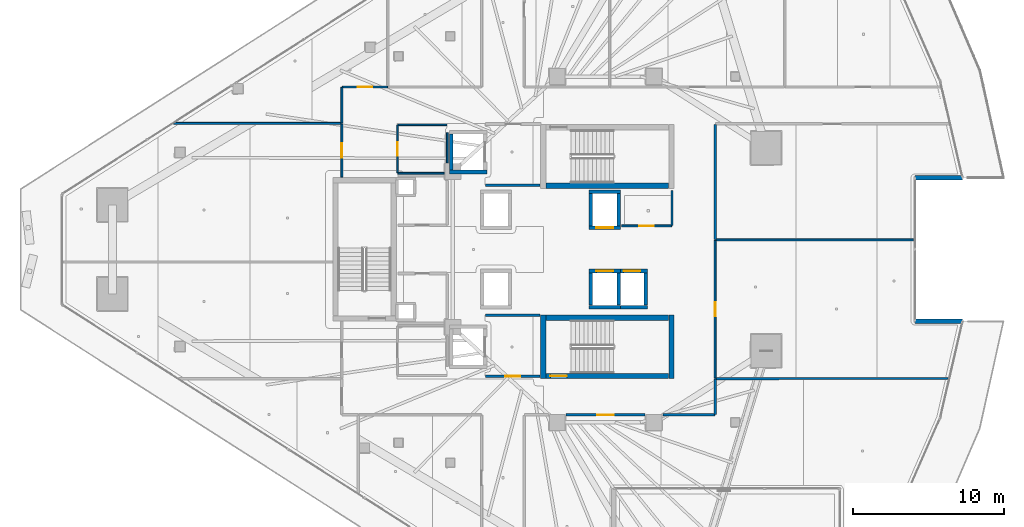
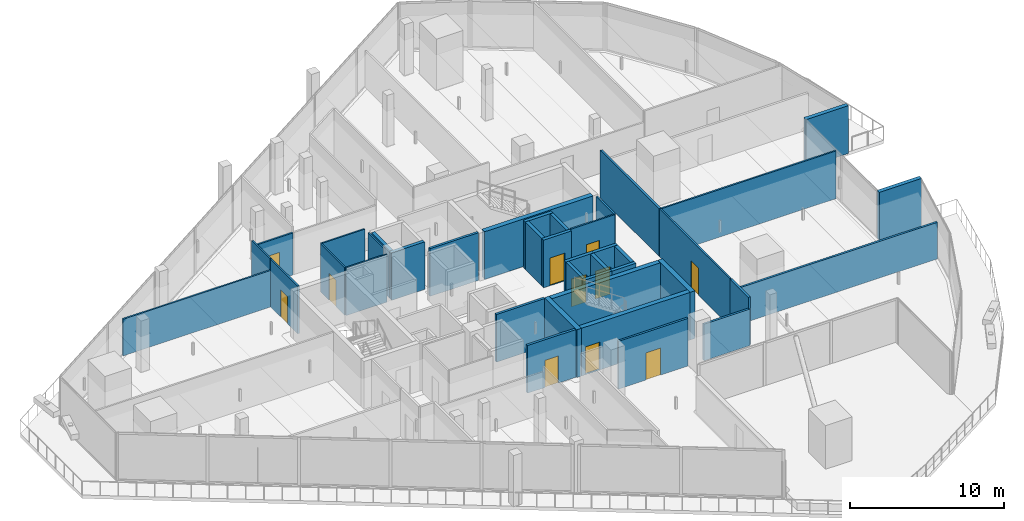
# One storey, part 27 of 38: 40 walls, 11 doors, 11 openings.
"""IFC4 building model written with IfcOpenShell, lengths in metres."""

from ifc_helpers import new_model, si_unit, direction, frame, frame_2d, origin, place, context, subcontext, project, spatial, rectangle, extrude, material, layer, layer_set, type_object, element, fill, save


model = new_model("IFC4")

# Units and contexts
model_context = context("Model", 3, precision=1e-05, world=origin(), true_north=direction((0.0, 1.0)))
body_context = subcontext(model_context, "Body", "Model", "MODEL_VIEW")
ifc_project = project(units=[si_unit("LENGTHUNIT", "METRE"), si_unit("AREAUNIT", "SQUARE_METRE"), si_unit("VOLUMEUNIT", "CUBIC_METRE"), si_unit("PLANEANGLEUNIT", "RADIAN"), si_unit("MASSUNIT", "GRAM", prefix="KILO")], contexts=[model_context])

# Site, building, storey
site_placement = place(None, origin())
site = spatial("IfcSite", under=ifc_project, at=site_placement, CompositionType="ELEMENT")
building_placement = place(site_placement, origin())
building = spatial("IfcBuilding", under=site, at=building_placement, Name="Qorvath Tower", CompositionType="ELEMENT")
storey_placement = place(building_placement, frame((0.0, 0.0, 158.39990234375)))
storey = spatial("IfcBuildingStorey", under=building, at=storey_placement, Name="L36", CompositionType="ELEMENT", Elevation=158.39990234375)

# Wall
ifc_material_1 = material(Name="Gypsum shaftliner on steel studs", Category="steel")
ifc_layer_1 = layer(ifc_material_1, 0.179931640625)
ifc_layer_set_1 = layer_set([ifc_layer_1], Name="FW-LOBBY")
wall_type_1 = type_object("IfcWallType", Name="FW-LOBBY", PredefinedType="PARTITIONING", material=ifc_layer_set_1)
wall_1_placement = place(storey_placement, frame((-28.35498046875, 4.25, 0.0), z_axis=(0.0, 0.0, 1.0), x_axis=(1.0, 0.0, 0.0)))
element("IfcWall", 1, at=wall_1_placement, inside=storey, type_object=wall_type_1, Name="Interior Partition IW-T1-L36-001", PredefinedType="PARTITIONING", context=body_context, shape_type="SweptSolid", body=[
    extrude(rectangle(XDim=3.6220703125, YDim=0.179931640625, at=frame_2d((1.81103515625, 0.0))), origin(), (0.0, 0.0, 1.0), 3.780029296875),
])

# Wall, opening, door
wall_2_placement = place(storey_placement, frame((-28.35498046875, -8.39990234375, 0.0), z_axis=(0.0, 0.0, 1.0), x_axis=(1.0, 0.0, 0.0)))
wall_2 = element("IfcWall", 2, at=wall_2_placement, inside=storey, type_object=wall_type_1, Name="Interior Partition IW-T1-L36-003", PredefinedType="PARTITIONING", context=body_context, shape_type="SweptSolid", body=[
    extrude(rectangle(XDim=3.6220703125, YDim=0.179931640625, at=frame_2d((1.81103515625, 0.0))), origin(), (0.0, 0.0, 1.0), 3.780029296875),
])
opening_1_placement = place(wall_2_placement, frame((1.31103515625, 0.0, 0.0)))
opening_1 = element("IfcOpeningElement", 3, at=opening_1_placement, cuts=wall_2, Name="Opening D-T1-L36-18", PredefinedType="OPENING", context=body_context, shape_type="SweptSolid", body=[
    extrude(rectangle(XDim=1.0, YDim=2.14990234375, at=frame_2d((0.5, 1.074951171875))), frame((0.0, 0.10009765625, 0.0), z_axis=(0.0, -1.0, 0.0), x_axis=(1.0, 0.0, 0.0)), (0.0, 0.0, 1.0), 0.199951171875),
])
ifc_material_2 = material(Name="Painted galvanised hollow metal", Category="steel")
door_type_1 = type_object("IfcDoorType", Name="FD-60", OperationType="NOTDEFINED", PredefinedType="DOOR", material=ifc_material_2)
door_1_placement = place(opening_1_placement, origin())
door_1 = element("IfcDoor", 4, at=door_1_placement, inside=storey, type_object=door_type_1, Name="Lobby Fire Service Elevator South Door D-T1-L36-18", OperationType="SINGLE_SWING_LEFT", OverallHeight=2.14990234375, OverallWidth=1.0, PredefinedType="DOOR", context=body_context, shape_type="SweptSolid", body=[
    extrude(rectangle(XDim=1.0, YDim=2.14990234375, at=frame_2d((0.5, 1.074951171875))), frame((0.0, 0.02490234375, 0.0), z_axis=(0.0, -1.0, 0.0), x_axis=(1.0, 0.0, 0.0)), (0.0, 0.0, 1.0), 0.050048828125),
])
fill(opening_1, door_1)

# Walls
wall_3_placement = place(storey_placement, frame((-24.73291015625, -4.35009765625, 0.0), z_axis=(0.0, 0.0, 1.0), x_axis=(-1.0, 0.0, 0.0)))
element("IfcWall", 5, at=wall_3_placement, inside=storey, type_object=wall_type_1, Name="Interior Partition IW-T1-L36-004", PredefinedType="PARTITIONING", context=body_context, shape_type="SweptSolid", body=[
    extrude(rectangle(XDim=3.6220703125, YDim=0.179931640625, at=frame_2d((1.81103515625, 0.0))), origin(), (0.0, 0.0, 1.0), 3.780029296875),
])
ifc_material_3 = material(Name="Double acoustic gypsum board on steel studs", Category="steel")
ifc_layer_2 = layer(ifc_material_3, 0.159912109375)
ifc_layer_set_2 = layer_set([ifc_layer_2], Name="IW-ACOUSTIC-160")
wall_type_2 = type_object("IfcWallType", Name="IW-ACOUSTIC-160", PredefinedType="PARTITIONING", material=ifc_layer_set_2)
wall_4_placement = place(storey_placement, frame((2.287109375, -8.544677734375, 0.0), z_axis=(0.0, 0.0, 1.0), x_axis=(-0.999999939213, -0.000348675014, 0.0)))
element("IfcWall", 6, at=wall_4_placement, inside=storey, type_object=wall_type_2, Name="Interior Partition IW-T1-L36-042", PredefinedType="PARTITIONING", context=body_context, shape_type="SweptSolid", body=[
    extrude(rectangle(XDim=15.404296875, YDim=0.159912109375, at=frame_2d((7.7021484375, 0.0))), origin(), (0.0, 0.0, 1.0), 2.89501953125),
])
wall_5_placement = place(storey_placement, frame((-13.14208984375, -10.93310546875, 0.0), z_axis=(0.0, 0.0, 1.0), x_axis=(0.0, 1.0, 0.0)))
element("IfcWall", 7, at=wall_5_placement, inside=storey, type_object=wall_type_2, Name="Interior Partition IW-T1-L36-043", PredefinedType="PARTITIONING", context=body_context, shape_type="SweptSolid", body=[
    extrude(rectangle(XDim=2.358154296875, YDim=0.159912109375, at=frame_2d((1.17919921875, 0.0))), origin(), (0.0, 0.0, 1.0), 3.780029296875),
])
wall_6_placement = place(storey_placement, frame((-13.1669921875, -10.9580078125, 0.0), z_axis=(0.0, 0.0, 1.0), x_axis=(-1.0, 0.0, 0.0)))
element("IfcWall", 8, at=wall_6_placement, inside=storey, type_object=wall_type_2, Name="Interior Partition IW-T1-L36-044", PredefinedType="PARTITIONING", context=body_context, shape_type="SweptSolid", body=[
    extrude(rectangle(XDim=3.443115234375, YDim=0.159912109375, at=frame_2d((1.7216796875, 0.0))), origin(), (0.0, 0.0, 1.0), 2.89501953125),
])

# Wall, opening, door
wall_7_placement = place(storey_placement, frame((-17.7900390625, -10.9580078125, 0.0), z_axis=(0.0, 0.0, 1.0), x_axis=(-1.0, 0.0, 0.0)))
wall_7 = element("IfcWall", 9, at=wall_7_placement, inside=storey, type_object=wall_type_2, Name="Interior Partition IW-T1-L36-045", PredefinedType="PARTITIONING", context=body_context, shape_type="SweptSolid", body=[
    extrude(rectangle(XDim=5.219970703125, YDim=0.159912109375, at=frame_2d((2.60986328125, 0.0))), origin(), (0.0, 0.0, 1.0), 3.780029296875),
])
opening_2_placement = place(wall_7_placement, frame((2.06005859375, 0.0, 0.0)))
opening_2 = element("IfcOpeningElement", 10, at=opening_2_placement, cuts=wall_7, Name="Opening D-T1-L36-12", PredefinedType="OPENING", context=body_context, shape_type="SweptSolid", body=[
    extrude(rectangle(XDim=1.10009765625, YDim=2.14990234375, at=frame_2d((0.550048828125, 1.074951171875))), frame((0.0, 0.08984375, 0.0), z_axis=(0.0, -1.0, 0.0), x_axis=(1.0, 0.0, 0.0)), (0.0, 0.0, 1.0), 0.179931640625),
])
ifc_material_4 = material(Name="Anodised aluminium acoustic framed glass", Category="aluminium")
door_type_2 = type_object("IfcDoorType", Name="D-03", OperationType="NOTDEFINED", PredefinedType="DOOR", material=ifc_material_4)
door_2_placement = place(opening_2_placement, origin())
door_2 = element("IfcDoor", 11, at=door_2_placement, inside=storey, type_object=door_type_2, Name="L36-07 Team Project Office Door D-T1-L36-12", OperationType="SINGLE_SWING_LEFT", OverallHeight=2.14990234375, OverallWidth=1.10009765625, PredefinedType="DOOR", context=body_context, shape_type="SweptSolid", body=[
    extrude(rectangle(XDim=1.10009765625, YDim=2.14990234375, at=frame_2d((0.550048828125, 1.074951171875))), frame((0.0, 0.02490234375, 0.0), z_axis=(0.0, -1.0, 0.0), x_axis=(1.0, 0.0, 0.0)), (0.0, 0.0, 1.0), 0.050048828125),
])
fill(opening_2, door_2)

# Wall
wall_8_placement = place(storey_placement, frame((-13.14208984375, 8.287109375, 0.0), z_axis=(0.0, 0.0, 1.0), x_axis=(0.0, -1.0, 0.0)))
element("IfcWall", 12, at=wall_8_placement, inside=storey, type_object=wall_type_2, Name="Interior Partition IW-T1-L36-051", PredefinedType="PARTITIONING", context=body_context, shape_type="SweptSolid", body=[
    extrude(rectangle(XDim=7.625, YDim=0.159912109375, at=frame_2d((3.8125, 0.0))), origin(), (0.0, 0.0, 1.0), 3.780029296875),
])

# Wall, opening, door
ifc_material_5 = material(Name="Gypsum board on metal studs with mineral wool", Category="gypsum")
ifc_layer_3 = layer(ifc_material_5, 0.125)
ifc_layer_set_3 = layer_set([ifc_layer_3], Name="IW-PART-125")
wall_type_3 = type_object("IfcWallType", Name="IW-PART-125", PredefinedType="PARTITIONING", material=ifc_layer_set_3)
wall_9_placement = place(storey_placement, frame((-19.333740234375, 1.56005859375, 0.0), z_axis=(0.0, 0.0, 1.0), x_axis=(1.0, 0.0, 0.0)))
wall_9 = element("IfcWall", 13, at=wall_9_placement, inside=storey, type_object=wall_type_3, Name="Interior Partition IW-T1-L36-013", PredefinedType="PARTITIONING", context=body_context, shape_type="SweptSolid", body=[
    extrude(rectangle(XDim=3.308837890625, YDim=0.125, at=frame_2d((1.654296875, 0.0))), origin(), (0.0, 0.0, 1.0), 3.780029296875),
])
opening_3_placement = place(wall_9_placement, frame((1.179443359375, 0.0, 0.0)))
opening_3 = element("IfcOpeningElement", 14, at=opening_3_placement, cuts=wall_9, Name="Opening D-T1-L36-03", PredefinedType="OPENING", context=body_context, shape_type="SweptSolid", body=[
    extrude(rectangle(XDim=0.949951171875, YDim=2.14990234375, at=frame_2d((0.47509765625, 1.074951171875))), frame((0.0, 0.072509765625, 0.0), z_axis=(0.0, -1.0, 0.0), x_axis=(1.0, 0.0, 0.0)), (0.0, 0.0, 1.0), 0.14501953125),
])
ifc_material_6 = material(Name="Solid-core American white oak veneer", Category="wood")
door_type_3 = type_object("IfcDoorType", Name="D-01", OperationType="NOTDEFINED", PredefinedType="DOOR", material=ifc_material_6)
door_3_placement = place(opening_3_placement, origin())
door_3 = element("IfcDoor", 15, at=door_3_placement, inside=storey, type_object=door_type_3, Name="L36-RCN North Staff Refreshment Pantry Door D-T1-L36-03", OperationType="SINGLE_SWING_RIGHT", OverallHeight=2.14990234375, OverallWidth=0.949951171875, PredefinedType="DOOR", context=body_context, shape_type="SweptSolid", body=[
    extrude(rectangle(XDim=0.949951171875, YDim=2.14990234375, at=frame_2d((0.47509765625, 1.074951171875))), frame((0.0, 0.02490234375, 0.0), z_axis=(0.0, -1.0, 0.0), x_axis=(1.0, 0.0, 0.0)), (0.0, 0.0, 1.0), 0.050048828125),
])
fill(opening_3, door_3)

# Walls
wall_10_placement = place(storey_placement, frame((-16.0, 1.585205078125, 0.0), z_axis=(0.0, 0.0, 1.0), x_axis=(0.0, 1.0, 0.0)))
element("IfcWall", 16, at=wall_10_placement, inside=storey, type_object=wall_type_3, Name="Interior Partition IW-T1-L36-014", PredefinedType="PARTITIONING", context=body_context, shape_type="SweptSolid", body=[
    extrude(rectangle(XDim=2.30224609375, YDim=0.125, at=frame_2d((1.151123046875, 0.0))), origin(), (0.0, 0.0, 1.0), 3.780029296875),
])
wall_11_placement = place(storey_placement, frame((-48.974853515625, 8.35009765625, 0.0), z_axis=(0.0, 0.0, 1.0), x_axis=(1.0, 0.0, 0.0)))
element("IfcWall", 17, at=wall_11_placement, inside=storey, type_object=wall_type_3, Name="Interior Partition IW-T1-L36-021", PredefinedType="PARTITIONING", context=body_context, shape_type="SweptSolid", body=[
    extrude(rectangle(XDim=11.092041015625, YDim=0.125, at=frame_2d((5.5458984375, 0.0))), origin(), (0.0, 0.0, 1.0), 2.89990234375),
])
wall_12_placement = place(storey_placement, frame((-37.85791015625, 8.375, 0.0), z_axis=(0.0, 0.0, 1.0), x_axis=(0.0, 1.0, 0.0)))
element("IfcWall", 18, at=wall_12_placement, inside=storey, type_object=wall_type_3, Name="Interior Partition IW-T1-L36-022", PredefinedType="PARTITIONING", context=body_context, shape_type="SweptSolid", body=[
    extrude(rectangle(XDim=2.358154296875, YDim=0.125, at=frame_2d((1.17919921875, 0.0))), origin(), (0.0, 0.0, 1.0), 3.780029296875),
])

# Wall, opening, door
wall_13_placement = place(storey_placement, frame((-37.8330078125, 10.758056640625, 0.0), z_axis=(0.0, 0.0, 1.0), x_axis=(1.0, 0.0, 0.0)))
wall_13 = element("IfcWall", 19, at=wall_13_placement, inside=storey, type_object=wall_type_3, Name="Interior Partition IW-T1-L36-023", PredefinedType="PARTITIONING", context=body_context, shape_type="SweptSolid", body=[
    extrude(rectangle(XDim=2.998779296875, YDim=0.125, at=frame_2d((1.49951171875, 0.0))), origin(), (0.0, 0.0, 1.0), 3.34375),
])
opening_4_placement = place(wall_13_placement, frame((1.0244140625, 0.0, 0.0)))
opening_4 = element("IfcOpeningElement", 20, at=opening_4_placement, cuts=wall_13, Name="Opening D-T1-L36-06", PredefinedType="OPENING", context=body_context, shape_type="SweptSolid", body=[
    extrude(rectangle(XDim=0.949951171875, YDim=2.14990234375, at=frame_2d((0.47509765625, 1.074951171875))), frame((0.0, 0.072509765625, 0.0), z_axis=(0.0, -1.0, 0.0), x_axis=(1.0, 0.0, 0.0)), (0.0, 0.0, 1.0), 0.14501953125),
])
door_4_placement = place(opening_4_placement, origin())
door_4 = element("IfcDoor", 21, at=door_4_placement, inside=storey, type_object=door_type_3, Name="L36-01 Staff Wellness Studio Door D-T1-L36-06", OperationType="SINGLE_SWING_LEFT", OverallHeight=2.14990234375, OverallWidth=0.949951171875, PredefinedType="DOOR", context=body_context, shape_type="SweptSolid", body=[
    extrude(rectangle(XDim=0.949951171875, YDim=2.14990234375, at=frame_2d((0.47509765625, 1.074951171875))), frame((0.0, 0.02490234375, 0.0), z_axis=(0.0, -1.0, 0.0), x_axis=(1.0, 0.0, 0.0)), (0.0, 0.0, 1.0), 0.050048828125),
])
fill(opening_4, door_4)

# Wall
wall_14_placement = place(storey_placement, frame((-0.001953125, 0.629150390625, 0.0), z_axis=(0.0, 0.0, 1.0), x_axis=(-1.0, 0.0, 0.0)))
element("IfcWall", 22, at=wall_14_placement, inside=storey, type_object=wall_type_3, Name="Interior Partition IW-T1-L36-048", PredefinedType="PARTITIONING", context=body_context, shape_type="SweptSolid", body=[
    extrude(rectangle(XDim=13.115234375, YDim=0.125, at=frame_2d((6.5576171875, 0.0))), origin(), (0.0, 0.0, 1.0), 3.780029296875),
])

# Wall, opening, door
wall_15_placement = place(storey_placement, frame((-13.14208984375, 0.604248046875, 0.0), z_axis=(0.0, 0.0, 1.0), x_axis=(0.0, -1.0, 0.0)))
wall_15 = element("IfcWall", 23, at=wall_15_placement, inside=storey, type_object=wall_type_3, Name="Interior Partition IW-T1-L36-049", PredefinedType="PARTITIONING", context=body_context, shape_type="SweptSolid", body=[
    extrude(rectangle(XDim=9.121337890625, YDim=0.125, at=frame_2d((4.560546875, 0.0))), origin(), (0.0, 0.0, 1.0), 3.780029296875),
])
opening_5_placement = place(wall_15_placement, frame((4.085693359375, 0.0, 0.0)))
opening_5 = element("IfcOpeningElement", 24, at=opening_5_placement, cuts=wall_15, Name="Opening D-T1-L36-13", PredefinedType="OPENING", context=body_context, shape_type="SweptSolid", body=[
    extrude(rectangle(XDim=0.949951171875, YDim=2.14990234375, at=frame_2d((0.47509765625, 1.074951171875))), frame((0.0, 0.072509765625, 0.0), z_axis=(0.0, -1.0, 0.0), x_axis=(1.0, 0.0, 0.0)), (0.0, 0.0, 1.0), 0.14501953125),
])
door_5_placement = place(opening_5_placement, origin())
door_5 = element("IfcDoor", 25, at=door_5_placement, inside=storey, type_object=door_type_3, Name="L36-08 Open Workplace Studio Door D-T1-L36-13", OperationType="SINGLE_SWING_RIGHT", OverallHeight=2.14990234375, OverallWidth=0.949951171875, PredefinedType="DOOR", context=body_context, shape_type="SweptSolid", body=[
    extrude(rectangle(XDim=0.949951171875, YDim=2.14990234375, at=frame_2d((0.47509765625, 1.074951171875))), frame((0.0, 0.02490234375, 0.0), z_axis=(0.0, -1.0, 0.0), x_axis=(1.0, 0.0, 0.0)), (0.0, 0.0, 1.0), 0.050048828125),
])
fill(opening_5, door_5)

wall_16_placement = place(storey_placement, frame((-37.85791015625, 4.783203125, 0.0), z_axis=(0.0, 0.0, 1.0), x_axis=(0.0, 1.0, 0.0)))
wall_16 = element("IfcWall", 26, at=wall_16_placement, inside=storey, type_object=wall_type_3, Name="Interior Partition IW-T1-L36-054", PredefinedType="PARTITIONING", context=body_context, shape_type="SweptSolid", body=[
    extrude(rectangle(XDim=3.53369140625, YDim=0.125, at=frame_2d((1.766845703125, 0.0))), origin(), (0.0, 0.0, 1.0), 3.780029296875),
])
opening_6_placement = place(wall_16_placement, frame((1.291748046875, 0.0, 0.0)))
opening_6 = element("IfcOpeningElement", 27, at=opening_6_placement, cuts=wall_16, Name="Opening D-T1-L36-16", PredefinedType="OPENING", context=body_context, shape_type="SweptSolid", body=[
    extrude(rectangle(XDim=0.949951171875, YDim=2.14990234375, at=frame_2d((0.47509765625, 1.074951171875))), frame((0.0, 0.072509765625, 0.0), z_axis=(0.0, -1.0, 0.0), x_axis=(1.0, 0.0, 0.0)), (0.0, 0.0, 1.0), 0.14501953125),
])
door_6_placement = place(opening_6_placement, origin())
door_6 = element("IfcDoor", 28, at=door_6_placement, inside=storey, type_object=door_type_3, Name="L36-11 Staff Refreshment Pantry and Coffee Bar Door D-T1-L36-16", OperationType="SINGLE_SWING_LEFT", OverallHeight=2.14990234375, OverallWidth=0.949951171875, PredefinedType="DOOR", context=body_context, shape_type="SweptSolid", body=[
    extrude(rectangle(XDim=0.949951171875, YDim=2.14990234375, at=frame_2d((0.47509765625, 1.074951171875))), frame((0.0, 0.02490234375, 0.0), z_axis=(0.0, -1.0, 0.0), x_axis=(1.0, 0.0, 0.0)), (0.0, 0.0, 1.0), 0.050048828125),
])
fill(opening_6, door_6)

ifc_material_7 = material(Name="Moisture-resistant cement board on metal studs", Category="gypsum")
ifc_layer_4 = layer(ifc_material_7, 0.110107421875)
ifc_layer_set_4 = layer_set([ifc_layer_4], Name="IW-WC-110")
wall_type_4 = type_object("IfcWallType", Name="IW-WC-110", PredefinedType="PARTITIONING", material=ifc_layer_set_4)
wall_17_placement = place(storey_placement, frame((-34.179931640625, 8.22509765625, 0.0), z_axis=(0.0, 0.0, 1.0), x_axis=(0.0, -1.0, 0.0)))
wall_17 = element("IfcWall", 29, at=wall_17_placement, inside=storey, type_object=wall_type_4, Name="Interior Partition IW-T1-L36-005", PredefinedType="PARTITIONING", context=body_context, shape_type="SweptSolid", body=[
    extrude(rectangle(XDim=3.150146484375, YDim=0.110107421875, at=frame_2d((1.5751953125, 0.0))), origin(), (0.0, 0.0, 1.0), 3.780029296875),
])
opening_7_placement = place(wall_17_placement, frame((1.135009765625, 0.0, 0.0)))
opening_7 = element("IfcOpeningElement", 30, at=opening_7_placement, cuts=wall_17, Name="Opening D-T1-L36-01", PredefinedType="OPENING", context=body_context, shape_type="SweptSolid", body=[
    extrude(rectangle(XDim=0.8798828125, YDim=2.10009765625, at=frame_2d((0.43994140625, 1.050048828125))), frame((0.0, 0.06494140625, 0.0), z_axis=(0.0, -1.0, 0.0), x_axis=(1.0, 0.0, 0.0)), (0.0, 0.0, 1.0), 0.130126953125),
])
ifc_material_8 = material(Name="Solid-core oak with acoustic drop seal", Category="wood")
door_type_4 = type_object("IfcDoorType", Name="D-02", OperationType="NOTDEFINED", PredefinedType="DOOR", material=ifc_material_8)
door_7_placement = place(opening_7_placement, origin())
door_7 = element("IfcDoor", 31, at=door_7_placement, inside=storey, type_object=door_type_4, Name="WC All-Gender North L36 Door D-T1-L36-01", OperationType="SINGLE_SWING_RIGHT", OverallHeight=2.10009765625, OverallWidth=0.8798828125, PredefinedType="DOOR", context=body_context, shape_type="SweptSolid", body=[
    extrude(rectangle(XDim=0.8798828125, YDim=2.10009765625, at=frame_2d((0.43994140625, 1.050048828125))), frame((0.0, 0.02490234375, 0.0), z_axis=(0.0, -1.0, 0.0), x_axis=(1.0, 0.0, 0.0)), (0.0, 0.0, 1.0), 0.050048828125),
])
fill(opening_7, door_7)

# Walls
wall_18_placement = place(storey_placement, frame((-34.15478515625, 5.050048828125, 0.0), z_axis=(0.0, 0.0, 1.0), x_axis=(1.0, 0.0, 0.0)))
element("IfcWall", 32, at=wall_18_placement, inside=storey, type_object=wall_type_4, Name="Interior Partition IW-T1-L36-006", PredefinedType="PARTITIONING", context=body_context, shape_type="SweptSolid", body=[
    extrude(rectangle(XDim=3.064697265625, YDim=0.110107421875, at=frame_2d((1.5322265625, 0.0))), origin(), (0.0, 0.0, 1.0), 3.780029296875),
])
wall_19_placement = place(storey_placement, frame((-30.8798828125, 5.739990234375, 0.0), z_axis=(0.0, 0.0, 1.0), x_axis=(0.0, 1.0, 0.0)))
element("IfcWall", 33, at=wall_19_placement, inside=storey, type_object=wall_type_4, Name="Interior Partition IW-T1-L36-007", PredefinedType="PARTITIONING", context=body_context, shape_type="SweptSolid", body=[
    extrude(rectangle(XDim=2.0029296875, YDim=0.110107421875, at=frame_2d((1.00146484375, 0.0))), origin(), (0.0, 0.0, 1.0), 3.780029296875),
])
wall_20_placement = place(storey_placement, frame((-30.90478515625, 8.25, 0.0), z_axis=(0.0, 0.0, 1.0), x_axis=(-1.0, 0.0, 0.0)))
element("IfcWall", 34, at=wall_20_placement, inside=storey, type_object=wall_type_4, Name="Interior Partition IW-T1-L36-008", PredefinedType="PARTITIONING", context=body_context, shape_type="SweptSolid", body=[
    extrude(rectangle(XDim=3.25, YDim=0.110107421875, at=frame_2d((1.625, 0.0))), origin(), (0.0, 0.0, 1.0), 3.780029296875),
])
ifc_material_9 = material(Name="Concrete C60/75", Category="concrete")
ifc_layer_5 = layer(ifc_material_9, 0.260009765625)
ifc_layer_set_5 = layer_set([ifc_layer_5], Name="SW-SHAFT")
wall_type_5 = type_object("IfcWallType", Name="SW-SHAFT", PredefinedType="SHEAR", material=ifc_layer_set_5)
wall_21_placement = place(storey_placement, frame((-28.260009765625, 5.1298828125, 0.0), z_axis=(0.0, 0.0, 1.0), x_axis=(-1.0, 0.0, 0.0)))
element("IfcWall", 35, at=wall_21_placement, inside=storey, type_object=wall_type_5, Name="Hoistway Wall FSAE-1 L36 S", PredefinedType="SHEAR", context=body_context, shape_type="SweptSolid", body=[
    extrude(rectangle(XDim=2.47998046875, YDim=0.239990234375, at=frame_2d((1.239990234375, 0.0))), origin(), (0.0, 0.0, 1.0), 3.780029296875),
])
wall_22_placement = place(storey_placement, frame((-30.6201171875, 5.261962890625, 0.0), z_axis=(0.0, 0.0, 1.0), x_axis=(0.0, 1.0, 0.0)))
element("IfcWall", 36, at=wall_22_placement, inside=storey, type_object=wall_type_5, Name="Hoistway Wall FSAE-1 L36 W", PredefinedType="SHEAR", context=body_context, shape_type="SweptSolid", body=[
    extrude(rectangle(XDim=2.3759765625, YDim=0.239990234375, at=frame_2d((1.18798828125, 0.0))), origin(), (0.0, 0.0, 1.0), 3.780029296875),
])

# Wall, opening, door
wall_23_placement = place(storey_placement, frame((-19.409912109375, 1.429931640625, 0.0), z_axis=(0.0, 0.0, 1.0), x_axis=(-1.0, 0.0, 0.0)))
wall_23 = element("IfcWall", 37, at=wall_23_placement, inside=storey, type_object=wall_type_5, Name="Hoistway Wall PM-1 L36 S", PredefinedType="SHEAR", context=body_context, shape_type="SweptSolid", body=[
    extrude(rectangle(XDim=2.080078125, YDim=0.239990234375, at=frame_2d((1.0400390625, 0.0))), origin(), (0.0, 0.0, 1.0), 3.780029296875),
])
opening_8_placement = place(wall_23_placement, frame((0.489990234375, 0.0, 0.0)))
opening_8 = element("IfcOpeningElement", 38, at=opening_8_placement, cuts=wall_23, Name="Opening LD-PM-1-L36", PredefinedType="OPENING", context=body_context, shape_type="SweptSolid", body=[
    extrude(rectangle(XDim=1.10009765625, YDim=2.199951171875, at=frame_2d((0.550048828125, 1.10009765625))), frame((0.0, 0.1298828125, 0.0), z_axis=(0.0, -1.0, 0.0), x_axis=(1.0, 0.0, 0.0)), (0.0, 0.0, 1.0), 0.260009765625),
])
ifc_material_10 = material(Name="Brushed stainless steel AISI 316", Category="steel")
door_type_5 = type_object("IfcDoorType", Name="LD-01", OperationType="NOTDEFINED", PredefinedType="DOOR", material=ifc_material_10)
door_8_placement = place(opening_8_placement, origin())
door_8 = element("IfcDoor", 39, at=door_8_placement, inside=storey, type_object=door_type_5, Name="Elevator Landing Sliding Door LD-PM-1-L36", OperationType="DOUBLE_DOOR_SLIDING", OverallHeight=2.199951171875, OverallWidth=1.10009765625, PredefinedType="DOOR", context=body_context, shape_type="SweptSolid", body=[
    extrude(rectangle(XDim=1.10009765625, YDim=2.199951171875, at=frame_2d((0.550048828125, 1.10009765625))), frame((0.0, 0.02490234375, 0.0), z_axis=(0.0, -1.0, 0.0), x_axis=(1.0, 0.0, 0.0)), (0.0, 0.0, 1.0), 0.050048828125),
])
fill(opening_8, door_8)

# Walls
wall_24_placement = place(storey_placement, frame((-21.489990234375, 3.820068359375, 0.0), z_axis=(0.0, 0.0, 1.0), x_axis=(1.0, 0.0, 0.0)))
element("IfcWall", 40, at=wall_24_placement, inside=storey, type_object=wall_type_5, Name="Hoistway Wall PM-1 L36 N", PredefinedType="SHEAR", context=body_context, shape_type="SweptSolid", body=[
    extrude(rectangle(XDim=2.080078125, YDim=0.239990234375, at=frame_2d((1.0400390625, 0.0))), origin(), (0.0, 0.0, 1.0), 3.780029296875),
])
for number, where, z_axis, x_axis, name in (
    (41, (-21.3701171875, 1.56201171875, 0.0), (0.0, 0.0, 1.0), (0.0, 1.0, 0.0), "Hoistway Wall PM-1 L36 W"),
    (42, (-19.530029296875, 3.68798828125, 0.0), (0.0, 0.0, 1.0), (0.0, -1.0, 0.0), "Hoistway Wall PM-1 L36 E"),
):
    element("IfcWall", number, at=place(storey_placement, frame(where, z_axis=z_axis, x_axis=x_axis)), inside=storey, type_object=wall_type_5, Name=name, PredefinedType="SHEAR", context=body_context, shape_type="SweptSolid", body=[
        extrude(rectangle(XDim=2.1259765625, YDim=0.239990234375, at=frame_2d((1.06298828125, 0.0))), origin(), (0.0, 0.0, 1.0), 3.780029296875),
    ])
wall_25_placement = place(storey_placement, frame((-19.409912109375, -3.820068359375, 0.0), z_axis=(0.0, 0.0, 1.0), x_axis=(-1.0, 0.0, 0.0)))
element("IfcWall", 43, at=wall_25_placement, inside=storey, type_object=wall_type_5, Name="Hoistway Wall PM-2 L36 S", PredefinedType="SHEAR", context=body_context, shape_type="SweptSolid", body=[
    extrude(rectangle(XDim=2.080078125, YDim=0.239990234375, at=frame_2d((1.0400390625, 0.0))), origin(), (0.0, 0.0, 1.0), 3.780029296875),
])

# Wall, opening, door
wall_26_placement = place(storey_placement, frame((-21.489990234375, -1.429931640625, 0.0), z_axis=(0.0, 0.0, 1.0), x_axis=(1.0, 0.0, 0.0)))
wall_26 = element("IfcWall", 44, at=wall_26_placement, inside=storey, type_object=wall_type_5, Name="Hoistway Wall PM-2 L36 N", PredefinedType="SHEAR", context=body_context, shape_type="SweptSolid", body=[
    extrude(rectangle(XDim=2.080078125, YDim=0.239990234375, at=frame_2d((1.0400390625, 0.0))), origin(), (0.0, 0.0, 1.0), 3.780029296875),
])
opening_9_placement = place(wall_26_placement, frame((0.489990234375, 0.0, 0.0)))
opening_9 = element("IfcOpeningElement", 45, at=opening_9_placement, cuts=wall_26, Name="Opening LD-PM-2-L36", PredefinedType="OPENING", context=body_context, shape_type="SweptSolid", body=[
    extrude(rectangle(XDim=1.10009765625, YDim=2.199951171875, at=frame_2d((0.550048828125, 1.10009765625))), frame((0.0, 0.1298828125, 0.0), z_axis=(0.0, -1.0, 0.0), x_axis=(1.0, 0.0, 0.0)), (0.0, 0.0, 1.0), 0.260009765625),
])
door_9_placement = place(opening_9_placement, origin())
door_9 = element("IfcDoor", 46, at=door_9_placement, inside=storey, type_object=door_type_5, Name="Elevator Landing Sliding Door LD-PM-2-L36", OperationType="DOUBLE_DOOR_SLIDING", OverallHeight=2.199951171875, OverallWidth=1.10009765625, PredefinedType="DOOR", context=body_context, shape_type="SweptSolid", body=[
    extrude(rectangle(XDim=1.10009765625, YDim=2.199951171875, at=frame_2d((0.550048828125, 1.10009765625))), frame((0.0, 0.02490234375, 0.0), z_axis=(0.0, -1.0, 0.0), x_axis=(1.0, 0.0, 0.0)), (0.0, 0.0, 1.0), 0.050048828125),
])
fill(opening_9, door_9)

# Walls
for number, where, z_axis, x_axis, name in (
    (47, (-21.3701171875, -3.68798828125, 0.0), (0.0, 0.0, 1.0), (0.0, 1.0, 0.0), "Hoistway Wall PM-2 L36 W"),
    (48, (-19.530029296875, -1.56201171875, 0.0), (0.0, 0.0, 1.0), (0.0, -1.0, 0.0), "Hoistway Wall PM-2 L36 E"),
):
    element("IfcWall", number, at=place(storey_placement, frame(where, z_axis=z_axis, x_axis=x_axis)), inside=storey, type_object=wall_type_5, Name=name, PredefinedType="SHEAR", context=body_context, shape_type="SweptSolid", body=[
        extrude(rectangle(XDim=2.1259765625, YDim=0.239990234375, at=frame_2d((1.06298828125, 0.0))), origin(), (0.0, 0.0, 1.0), 3.780029296875),
    ])
wall_27_placement = place(storey_placement, frame((-17.610107421875, -3.820068359375, 0.0), z_axis=(0.0, 0.0, 1.0), x_axis=(-1.0, 0.0, 0.0)))
element("IfcWall", 49, at=wall_27_placement, inside=storey, type_object=wall_type_5, Name="Hoistway Wall PM-3 L36 S", PredefinedType="SHEAR", context=body_context, shape_type="SweptSolid", body=[
    extrude(rectangle(XDim=1.7998046875, YDim=0.239990234375, at=frame_2d((0.89990234375, 0.0))), origin(), (0.0, 0.0, 1.0), 3.780029296875),
])

# Wall, opening, door
wall_28_placement = place(storey_placement, frame((-19.409912109375, -1.429931640625, 0.0), z_axis=(0.0, 0.0, 1.0), x_axis=(1.0, 0.0, 0.0)))
wall_28 = element("IfcWall", 50, at=wall_28_placement, inside=storey, type_object=wall_type_5, Name="Hoistway Wall PM-3 L36 N", PredefinedType="SHEAR", context=body_context, shape_type="SweptSolid", body=[
    extrude(rectangle(XDim=1.7998046875, YDim=0.239990234375, at=frame_2d((0.89990234375, 0.0))), origin(), (0.0, 0.0, 1.0), 3.780029296875),
])
opening_10_placement = place(wall_28_placement, frame((0.2099609375, 0.0, 0.0)))
opening_10 = element("IfcOpeningElement", 51, at=opening_10_placement, cuts=wall_28, Name="Opening LD-PM-3-L36", PredefinedType="OPENING", context=body_context, shape_type="SweptSolid", body=[
    extrude(rectangle(XDim=1.10009765625, YDim=2.199951171875, at=frame_2d((0.550048828125, 1.10009765625))), frame((0.0, 0.1298828125, 0.0), z_axis=(0.0, -1.0, 0.0), x_axis=(1.0, 0.0, 0.0)), (0.0, 0.0, 1.0), 0.260009765625),
])
door_10_placement = place(opening_10_placement, origin())
door_10 = element("IfcDoor", 52, at=door_10_placement, inside=storey, type_object=door_type_5, Name="Elevator Landing Sliding Door LD-PM-3-L36", OperationType="DOUBLE_DOOR_SLIDING", OverallHeight=2.199951171875, OverallWidth=1.10009765625, PredefinedType="DOOR", context=body_context, shape_type="SweptSolid", body=[
    extrude(rectangle(XDim=1.10009765625, YDim=2.199951171875, at=frame_2d((0.550048828125, 1.10009765625))), frame((0.0, 0.02490234375, 0.0), z_axis=(0.0, -1.0, 0.0), x_axis=(1.0, 0.0, 0.0)), (0.0, 0.0, 1.0), 0.050048828125),
])
fill(opening_10, door_10)

# Walls
wall_29_placement = place(storey_placement, frame((-17.72998046875, -1.56201171875, 0.0), z_axis=(0.0, 0.0, 1.0), x_axis=(0.0, -1.0, 0.0)))
element("IfcWall", 53, at=wall_29_placement, inside=storey, type_object=wall_type_5, Name="Hoistway Wall PM-3 L36 E", PredefinedType="SHEAR", context=body_context, shape_type="SweptSolid", body=[
    extrude(rectangle(XDim=2.1259765625, YDim=0.239990234375, at=frame_2d((1.06298828125, 0.0))), origin(), (0.0, 0.0, 1.0), 3.780029296875),
])
ifc_material_11 = material(Name="Concrete C60/75", Category="concrete")
ifc_layer_6 = layer(ifc_material_11, 0.35009765625)
ifc_layer_set_6 = layer_set([ifc_layer_6], Name="SW-STAIR")
wall_type_6 = type_object("IfcWallType", Name="SW-STAIR", PredefinedType="SHEAR", material=ifc_layer_set_6)
wall_30_placement = place(storey_placement, frame((-24.3349609375, 4.22509765625, 0.0), z_axis=(0.0, 0.0, 1.0), x_axis=(1.0, 0.0, 0.0)))
element("IfcWall", 54, at=wall_30_placement, inside=storey, type_object=wall_type_6, Name="Stair TS1 Shear Wall L36 LEFT", PredefinedType="SHEAR", context=body_context, shape_type="SweptSolid", body=[
    extrude(rectangle(XDim=8.119873046875, YDim=0.35009765625, at=frame_2d((4.06005859375, 0.0))), origin(), (0.0, 0.0, 1.0), 3.780029296875),
])
for number, where, z_axis, x_axis, name in (
    (55, (-24.52490234375, -4.340087890625, 0.0), (0.0, 0.0, 1.0), (0.0, -1.0, 0.0), "Stair TS2 Shear Wall L36 NEAR"),
    (56, (-16.02490234375, -8.550048828125, 0.0), (0.0, 0.0, 1.0), (0.0, 1.0, 0.0), "Stair TS2 Shear Wall L36 FAR"),
):
    element("IfcWall", number, at=place(storey_placement, frame(where, z_axis=z_axis, x_axis=x_axis)), inside=storey, type_object=wall_type_6, Name=name, PredefinedType="SHEAR", context=body_context, shape_type="SweptSolid", body=[
        extrude(rectangle(XDim=4.2099609375, YDim=0.35009765625, at=frame_2d((2.10498046875, 0.0))), origin(), (0.0, 0.0, 1.0), 3.780029296875),
    ])

# Wall, opening, door
wall_31_placement = place(storey_placement, frame((-24.3349609375, -8.375, 0.0), z_axis=(0.0, 0.0, 1.0), x_axis=(1.0, 0.0, 0.0)))
wall_31 = element("IfcWall", 57, at=wall_31_placement, inside=storey, type_object=wall_type_6, Name="Stair TS2 Shear Wall L36 LEFT", PredefinedType="SHEAR", context=body_context, shape_type="SweptSolid", body=[
    extrude(rectangle(XDim=8.119873046875, YDim=0.35009765625, at=frame_2d((4.06005859375, 0.0))), origin(), (0.0, 0.0, 1.0), 3.780029296875),
])
opening_11_placement = place(wall_31_placement, frame((0.280029296875, 0.0, 0.0)))
opening_11 = element("IfcOpeningElement", 58, at=opening_11_placement, cuts=wall_31, Name="Opening D-TS2-L36", PredefinedType="OPENING", context=body_context, shape_type="SweptSolid", body=[
    extrude(rectangle(XDim=1.10009765625, YDim=2.199951171875, at=frame_2d((0.550048828125, 1.10009765625))), frame((0.0, 0.18505859375, 0.0), z_axis=(0.0, -1.0, 0.0), x_axis=(1.0, 0.0, 0.0)), (0.0, 0.0, 1.0), 0.3701171875),
])
ifc_material_12 = material(Name="Painted galvanised hollow metal", Category="steel")
door_type_6 = type_object("IfcDoorType", Name="FD-90", OperationType="NOTDEFINED", PredefinedType="DOOR", material=ifc_material_12)
door_11_placement = place(opening_11_placement, origin())
door_11 = element("IfcDoor", 59, at=door_11_placement, inside=storey, type_object=door_type_6, Name="Stair TS2 Fire Door L36", OperationType="SINGLE_SWING_LEFT", OverallHeight=2.199951171875, OverallWidth=1.10009765625, PredefinedType="DOOR", context=body_context, shape_type="SweptSolid", body=[
    extrude(rectangle(XDim=1.10009765625, YDim=2.199951171875, at=frame_2d((0.550048828125, 1.10009765625))), frame((0.0, 0.02490234375, 0.0), z_axis=(0.0, -1.0, 0.0), x_axis=(1.0, 0.0, 0.0)), (0.0, 0.0, 1.0), 0.050048828125),
])
fill(opening_11, door_11)

# Walls
wall_32_placement = place(storey_placement, frame((-16.215087890625, -4.514892578125, 0.0), z_axis=(0.0, 0.0, 1.0), x_axis=(-1.0, 0.0, 0.0)))
element("IfcWall", 60, at=wall_32_placement, inside=storey, type_object=wall_type_6, Name="Stair TS2 Shear Wall L36 RIGHT", PredefinedType="SHEAR", context=body_context, shape_type="SweptSolid", body=[
    extrude(rectangle(XDim=8.119873046875, YDim=0.35009765625, at=frame_2d((4.06005859375, 0.0))), origin(), (0.0, 0.0, 1.0), 3.780029296875),
])
ifc_material_13 = material(Name="Precast concrete C45/55", Category="concrete")
ifc_layer_7 = layer(ifc_material_13, 0.300048828125)
ifc_layer_set_7 = layer_set([ifc_layer_7], Name="WL-EW-LOG-300")
wall_type_7 = type_object("IfcWallType", Name="WL-EW-LOG-300", PredefinedType="SOLIDWALL", material=ifc_layer_set_7)
for number, where, z_axis, x_axis, name in (
    (61, (3.24609375, -4.751953125, 0.0), (0.0, 0.0, 1.0), (-1.0, 0.0, 0.0), "Tower Precast Loggia Wall L36-8.1"),
    (62, (0.077880859375, 4.751953125, 0.0), (0.0, 0.0, 1.0), (1.0, 0.0, 0.0), "Tower Precast Loggia Wall L36-10.1"),
):
    element("IfcWall", number, at=place(storey_placement, frame(where, z_axis=z_axis, x_axis=x_axis)), inside=storey, type_object=wall_type_7, Name=name, PredefinedType="SOLIDWALL", context=body_context, shape_type="SweptSolid", body=[
        extrude(rectangle(XDim=3.168212890625, YDim=0.300048828125, at=frame_2d((1.583984375, 0.0))), origin(), (0.0, 0.0, 1.0), 3.780029296875),
    ])

save(model, "model.ifc")
